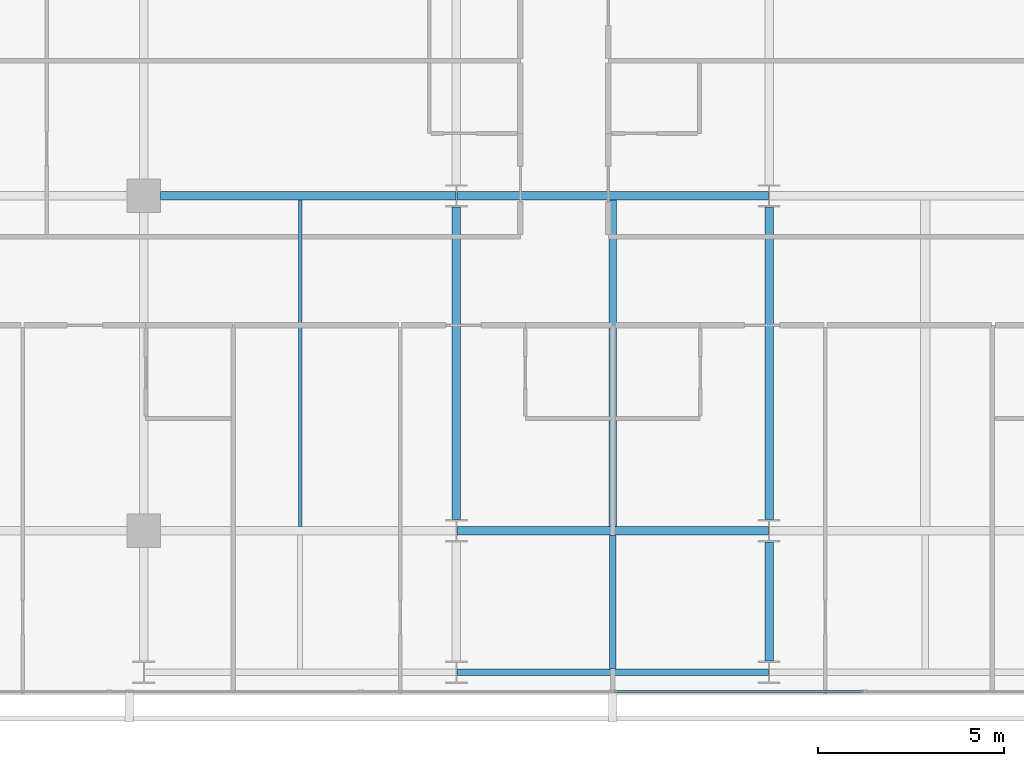
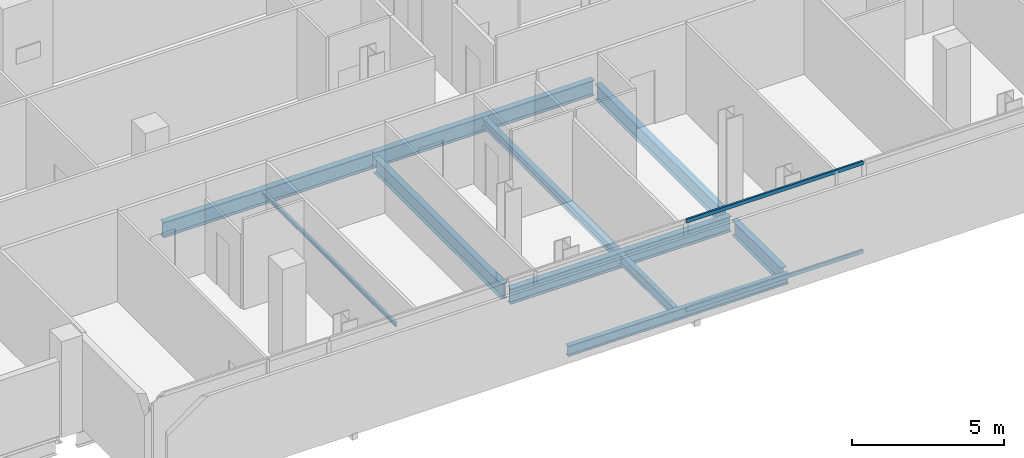
# One storey, part 7 of 33: 10 beams, 2 members, 1 element without a shape of its own.
"""IFC4 building model written with IfcOpenShell, lengths in metres."""

import ifcopenshell
import ifcopenshell.guid

model = None  # the IFC model being written
_history = None  # IfcOwnerHistory: only IFC2X3 demands one
_inside = {}  # id of a spatial element -> (the spatial element, [elements in it])
_under = {}  # id of a project, library or spatial element -> (it, [spatial elements below it])
_declared = {}  # id of a project -> (the project, [libraries it declares])
_typed = {}  # id of a type object -> (the type object, [elements of that type])
_made_of = {}  # id of a material, layer set ... -> (it, [elements and type objects made of it])


def new_model(schema):
    """Start an empty IFC model of exactly this schema.

    Asked for "IFC4X3", IfcOpenShell would pick the latest addendum, in which some entities
    have other attributes; the version numbers below select the first issue.
    IFC2X3 requires an IfcOwnerHistory on every rooted entity: one is made here for all.
    """
    global model, _history
    if schema == "IFC4X3":
        model = ifcopenshell.file(schema_version=(4, 3, 0, 0))
    else:
        model = ifcopenshell.file(schema=schema)
    _inside.clear()
    _under.clear()
    _declared.clear()
    _typed.clear()
    _made_of.clear()
    _history = None
    if model.schema == "IFC2X3":
        org = make("IfcOrganization", Name="unknown")
        user = make(
            "IfcPersonAndOrganization",
            ThePerson=make("IfcPerson", FamilyName="unknown"),
            TheOrganization=org,
        )
        app = make(
            "IfcApplication",
            ApplicationDeveloper=org,
            Version="unknown",
            ApplicationFullName="unknown",
            ApplicationIdentifier="unknown",
        )
        _history = make(
            "IfcOwnerHistory",
            OwningUser=user,
            OwningApplication=app,
            ChangeAction="ADDED",
            CreationDate=0,
        )
    return model


def make(cls, **values):
    """One entity of the class cls with the attributes given. An attribute that is None is left unset."""
    return model.create_entity(
        cls, **{name: value for name, value in values.items() if value is not None}
    )


def rooted(cls, **values):
    """An entity with a GlobalId (a new one), such as an element, a storey or a relation."""
    return make(cls, GlobalId=ifcopenshell.guid.new(), OwnerHistory=_history, **values)


def si_unit(unit_type, name, prefix=None):
    """IfcSIUnit, for example si_unit("LENGTHUNIT", "METRE", prefix="MILLI")."""
    return make("IfcSIUnit", UnitType=unit_type, Prefix=prefix, Name=name)


def assignment(units):
    """IfcUnitAssignment: the units of a project."""
    return None if units is None else make("IfcUnitAssignment", Units=units)


def point(xyz):
    """IfcCartesianPoint."""
    return None if xyz is None else make("IfcCartesianPoint", Coordinates=xyz)


def direction(xyz):
    """IfcDirection."""
    return None if xyz is None else make("IfcDirection", DirectionRatios=xyz)


def frame(location, z_axis=None, x_axis=None):
    """IfcAxis2Placement3D, a coordinate frame: its origin and axes. An axis left out is left unset."""
    return make(
        "IfcAxis2Placement3D",
        Location=point(location),
        Axis=direction(z_axis),
        RefDirection=direction(x_axis),
    )


def frame_2d(location, x_axis=None):
    """IfcAxis2Placement2D, a coordinate frame in the plane: its origin and x axis."""
    return make(
        "IfcAxis2Placement2D", Location=point(location), RefDirection=direction(x_axis)
    )


def origin():
    """The frame at (0, 0, 0) with its axes left unset."""
    return frame((0.0, 0.0, 0.0))


def origin_2d():
    """The frame at (0, 0) in the plane with its x axis left unset."""
    return frame_2d((0.0, 0.0))


def place(relative_to, where):
    """IfcLocalPlacement: puts the frame where relative to a parent placement (None: the world)."""
    return make(
        "IfcLocalPlacement", PlacementRelTo=relative_to, RelativePlacement=where
    )


def context(
    kind, dimensions, precision=None, world=None, true_north=None, identifier=None
):
    """IfcGeometricRepresentationContext, for example the 3D "Model" context."""
    return make(
        "IfcGeometricRepresentationContext",
        ContextIdentifier=identifier,
        ContextType=kind,
        CoordinateSpaceDimension=dimensions,
        Precision=precision,
        WorldCoordinateSystem=world,
        TrueNorth=true_north,
    )


def subcontext(parent, identifier, kind, view, scale=None):
    """IfcGeometricRepresentationSubContext, for example "Body" below "Model"."""
    return make(
        "IfcGeometricRepresentationSubContext",
        ContextIdentifier=identifier,
        ContextType=kind,
        ParentContext=parent,
        TargetScale=scale,
        TargetView=view,
    )


def project(units=None, contexts=None):
    """IfcProject with its units and contexts."""
    return rooted(
        "IfcProject",
        Name="project",
        RepresentationContexts=contexts,
        UnitsInContext=assignment(units),
    )


def spatial(cls, under=None, at=None, **own):
    """A site, building, storey or space (cls), placed at a placement, below another one or the project."""
    s = rooted(cls, ObjectPlacement=at, **own)
    if under is not None:
        _under.setdefault(under.id(), (under, []))[1].append(s)
    return s


def profile(cls, at=None, kind="AREA", **sizes):
    """A parametric profile (cls). Its sizes go by their IFC names, for example OverallWidth=200.0."""
    return make(cls, ProfileType=kind, Position=at, **sizes)


def hollow_rectangle(**sizes):
    """IfcRectangleHollowProfileDef."""
    return profile("IfcRectangleHollowProfileDef", **sizes)


def i_section(**sizes):
    """IfcIShapeProfileDef."""
    return profile("IfcIShapeProfileDef", **sizes)


def extrude(swept, where, along, depth):
    """IfcExtrudedAreaSolid: the profile swept, set in the frame where, extruded along a direction by depth."""
    return make(
        "IfcExtrudedAreaSolid",
        SweptArea=swept,
        Position=where,
        ExtrudedDirection=direction(along),
        Depth=depth,
    )


def shape(context_of_items, identifier, shape_type, items):
    """IfcShapeRepresentation: the items that make up one representation, for example the "Body"."""
    return make(
        "IfcShapeRepresentation",
        ContextOfItems=context_of_items,
        RepresentationIdentifier=identifier,
        RepresentationType=shape_type,
        Items=items,
    )


def material(Name=None, Category=None):
    """IfcMaterial."""
    return make("IfcMaterial", Name=Name, Category=Category)


def layer(
    of_material, thickness, ventilated=None, Name=None, Category=None, Priority=None
):
    """IfcMaterialLayer: one layer of a wall or slab, of a material (None: an air gap)."""
    return make(
        "IfcMaterialLayer",
        Material=of_material,
        LayerThickness=thickness,
        IsVentilated=ventilated,
        Name=Name,
        Category=Category,
        Priority=Priority,
    )


def layer_set(layers, Name=None):
    """IfcMaterialLayerSet."""
    return make("IfcMaterialLayerSet", MaterialLayers=layers, LayerSetName=Name)


def material_profile(
    of_material, cross_section, Name=None, Category=None, Priority=None
):
    """IfcMaterialProfile: a cross section and its material."""
    return make(
        "IfcMaterialProfile",
        Name=Name,
        Material=of_material,
        Profile=cross_section,
        Priority=Priority,
        Category=Category,
    )


def profile_set(profiles, Name=None, composite=None):
    """IfcMaterialProfileSet."""
    return make(
        "IfcMaterialProfileSet",
        Name=Name,
        MaterialProfiles=profiles,
        CompositeProfile=composite,
    )


def made_of(thing, what):
    """Note that an element or type object is made of a material, layer set ...; save() writes the relation."""
    if what is not None:
        _made_of.setdefault(what.id(), (what, []))[1].append(thing)
    return thing


def type_object(cls, material=None, **own):
    """A type object (cls), such as IfcWallType, which elements share."""
    return made_of(rooted(cls, **own), material)


def element(
    cls,
    number,
    at=None,
    inside=None,
    cuts=None,
    type_object=None,
    material=None,
    context=None,
    identifier="Body",
    shape_type=None,
    held_by="IfcProductDefinitionShape",
    body=None,
    shapes=None,
    **own,
):
    """One element of the class cls, such as IfcWall. Its Tag is "e" and its number.

    at: its placement. inside: the storey or other place that contains it. cuts: it is an
    opening in that element (IfcRelVoidsElement). A single representation is given by context,
    identifier, shape_type and body (its items); several are given by shapes. held_by: the class
    of the entity that holds the representations. save() writes the other relations.
    """
    e = rooted(cls, Tag="e%d" % number, ObjectPlacement=at, **own)
    if body is not None:
        shapes = [shape(context, identifier, shape_type, body)]
    if shapes is not None:
        e.Representation = make(held_by, Representations=shapes)
    if inside is not None:
        _inside.setdefault(inside.id(), (inside, []))[1].append(e)
    if cuts is not None:
        rooted(
            "IfcRelVoidsElement", RelatingBuildingElement=cuts, RelatedOpeningElement=e
        )
    if type_object is not None:
        _typed.setdefault(type_object.id(), (type_object, []))[1].append(e)
    return made_of(e, material)


def aggregate(whole, parts):
    """IfcRelAggregates: a whole, such as a stair, and the parts it consists of."""
    return rooted("IfcRelAggregates", RelatingObject=whole, RelatedObjects=parts)


def save(model, path):
    """Write the relations noted so far, then the file.

    IfcRelAggregates (storeys below a building ...), IfcRelContainedInSpatialStructure (elements
    in a storey), IfcRelDefinesByType, IfcRelAssociatesMaterial and IfcRelDeclares: one each for
    every whole, place, type object, material and project.
    """
    for whole, parts in _under.values():
        aggregate(whole, parts)
    for where, things in _inside.values():
        rooted(
            "IfcRelContainedInSpatialStructure",
            RelatedElements=things,
            RelatingStructure=where,
        )
    for kind, things in _typed.values():
        rooted("IfcRelDefinesByType", RelatedObjects=things, RelatingType=kind)
    for what, things in _made_of.values():
        rooted("IfcRelAssociatesMaterial", RelatedObjects=things, RelatingMaterial=what)
    for by, libraries in _declared.values():
        rooted("IfcRelDeclares", RelatingContext=by, RelatedDefinitions=libraries)
    model.write(path)


model = new_model("IFC4")

# Units and contexts
model_context = context("Model", 3, precision=1e-05, world=origin(), true_north=direction((0.0, 1.0)))
body_context = subcontext(model_context, "Body", "Model", "MODEL_VIEW")
ifc_project = project(units=[si_unit("LENGTHUNIT", "METRE"), si_unit("AREAUNIT", "SQUARE_METRE"), si_unit("VOLUMEUNIT", "CUBIC_METRE"), si_unit("PLANEANGLEUNIT", "RADIAN"), si_unit("MASSUNIT", "GRAM", prefix="KILO")], contexts=[model_context])

# Site, building, storey
site_placement = place(None, origin())
site = spatial("IfcSite", under=ifc_project, at=site_placement, CompositionType="ELEMENT")
building_placement = place(site_placement, origin())
building = spatial("IfcBuilding", under=site, at=building_placement, Name="Maruvema Waterfront Hotel and Observation Tower", CompositionType="ELEMENT")
storey_placement = place(building_placement, frame((0.0, 0.0, 138.949951171875)))
storey = spatial("IfcBuildingStorey", under=building, at=storey_placement, Name="L33", CompositionType="ELEMENT", Elevation=138.949951171875)

# Curtain wall, members
ifc_material_1 = material(Name="Anodised bronze aluminium and solar-control low-E IGU", Category="aluminium")
ifc_layer = layer(ifc_material_1, 0.159912109375, Name="Zone 2 Amber Inner Thermal Curtain Wall System CW-03")
ifc_layer_set = layer_set([ifc_layer], Name="Anodised bronze aluminium and solar-control low-E IGU")
curtain_wall_type = type_object("IfcCurtainWallType", Name="Zone 2 Amber Inner Thermal Curtain Wall System CW-03", PredefinedType="USERDEFINED", material=ifc_layer_set)
curtain_wall_placement = place(storey_placement, origin())
curtain_wall = element("IfcCurtainWall", 1, at=curtain_wall_placement, inside=storey, type_object=curtain_wall_type, Name="L33 Curtain Wall CW-L33-S", ObjectType="UNITISED CURTAIN WALL", PredefinedType="USERDEFINED")
ifc_material_2 = material(Name="Anodised architectural bronze aluminium", Category="aluminium")
ifc_material_profile_1 = material_profile(ifc_material_2, hollow_rectangle(XDim=0.070068359375, YDim=0.14990234375, WallThickness=0.00390625, at=origin_2d()), Name="ALU-T70x150")
ifc_profile_set_1 = profile_set([ifc_material_profile_1], Name="Anodised architectural bronze aluminium")
member_type = type_object("IfcMemberType", Name="Curtain Wall Horizontal Transom ALU-T70x150", PredefinedType="USERDEFINED", material=ifc_profile_set_1)
member_1_placement = place(storey_placement, frame((37.830078125, 4.679931640625, 0.030029296875), z_axis=(1.0, 0.0, 0.0), x_axis=(0.0, 1.0, 0.0)))
member_1 = element("IfcMember", 2, at=member_1_placement, type_object=member_type, Name="CW-03 transom 4.1", ObjectType="TRANSOM", PredefinedType="USERDEFINED", context=body_context, shape_type="SweptSolid", body=[
    extrude(hollow_rectangle(XDim=0.070068359375, YDim=0.14990234375, WallThickness=0.00390625, at=origin_2d()), origin(), (0.0, 0.0, 1.0), 6.70654296875),
])
member_2_placement = place(storey_placement, frame((37.830078125, 4.679931640625, 3.580078125), z_axis=(1.0, 0.0, 0.0), x_axis=(0.0, 1.0, 0.0)))
member_2 = element("IfcMember", 3, at=member_2_placement, type_object=member_type, Name="CW-03 transom 4.2", ObjectType="TRANSOM", PredefinedType="USERDEFINED", context=body_context, shape_type="SweptSolid", body=[
    extrude(hollow_rectangle(XDim=0.070068359375, YDim=0.14990234375, WallThickness=0.00390625, at=origin_2d()), origin(), (0.0, 0.0, 1.0), 6.70654296875),
])
aggregate(curtain_wall, [member_1, member_2])

# Beams
ifc_material_3 = material(Name="Steel ASTM A572 Grade 50", Category="steel")
ifc_material_profile_2 = material_profile(ifc_material_3, i_section(OverallWidth=0.180908203125, OverallDepth=0.4169921875, WebThickness=0.010986328125, FlangeThickness=0.018310546875, FilletRadius=0.014892578125, at=origin_2d()), Name="W410x85.0")
ifc_profile_set_2 = profile_set([ifc_material_profile_2], Name="Steel ASTM A572 Grade 50")
beam_type_1 = type_object("IfcBeamType", Name="Perimeter Spandrel Beam W410x85.0", PredefinedType="SPANDREL", material=ifc_profile_set_2)
beam_1_placement = place(storey_placement, frame((33.612548828125, 5.199951171875, -0.448486328125), z_axis=(1.0, 0.0, 0.0), x_axis=(0.0, 1.0, 0.0)))
element("IfcBeam", 4, at=beam_1_placement, inside=storey, type_object=beam_type_1, Name="L33 Floor Girder EW-02", PredefinedType="SPANDREL", context=body_context, shape_type="SweptSolid", body=[
    extrude(i_section(OverallWidth=0.180908203125, OverallDepth=0.4169921875, WebThickness=0.010986328125, FlangeThickness=0.018310546875, FilletRadius=0.014892578125, at=origin_2d()), origin(), (0.0, 0.0, 1.0), 8.375),
])
ifc_material_4 = material(Name="Steel ASTM A572 Grade 50", Category="steel")
ifc_material_profile_3 = material_profile(ifc_material_4, i_section(OverallWidth=0.22900390625, OverallDepth=0.612060546875, WebThickness=0.011962890625, FlangeThickness=0.01953125, FilletRadius=0.01806640625, at=origin_2d()), Name="W610x125.0")
ifc_profile_set_3 = profile_set([ifc_material_profile_3], Name="Steel ASTM A572 Grade 50")
beam_type_2 = type_object("IfcBeamType", Name="Primary Floor Girder W610x125.0", PredefinedType="BEAM", material=ifc_profile_set_3)
beam_2_placement = place(storey_placement, frame((33.612548828125, 9.0, -0.5458984375), z_axis=(1.0, 0.0, 0.0), x_axis=(0.0, 1.0, 0.0)))
element("IfcBeam", 5, at=beam_2_placement, inside=storey, type_object=beam_type_2, Name="L33 Floor Girder EW-07", PredefinedType="BEAM", context=body_context, shape_type="SweptSolid", body=[
    extrude(i_section(OverallWidth=0.22900390625, OverallDepth=0.612060546875, WebThickness=0.011962890625, FlangeThickness=0.01953125, FilletRadius=0.01806640625, at=origin_2d()), origin(), (0.0, 0.0, 1.0), 8.375),
])
beam_3_placement = place(storey_placement, frame((25.64990234375, 18.0, -0.5458984375), z_axis=(1.0, 0.0, 0.0), x_axis=(0.0, 1.0, 0.0)))
element("IfcBeam", 6, at=beam_3_placement, inside=storey, type_object=beam_type_2, Name="L33 Floor Girder EW-13", PredefinedType="BEAM", context=body_context, shape_type="SweptSolid", body=[
    extrude(i_section(OverallWidth=0.22900390625, OverallDepth=0.612060546875, WebThickness=0.011962890625, FlangeThickness=0.01953125, FilletRadius=0.01806640625, at=origin_2d()), origin(), (0.0, 0.0, 1.0), 7.9375),
])
beam_4_placement = place(storey_placement, frame((33.612548828125, 18.0, -0.5458984375), z_axis=(1.0, 0.0, 0.0), x_axis=(0.0, 1.0, 0.0)))
element("IfcBeam", 7, at=beam_4_placement, inside=storey, type_object=beam_type_2, Name="L33 Floor Girder EW-14", PredefinedType="BEAM", context=body_context, shape_type="SweptSolid", body=[
    extrude(i_section(OverallWidth=0.22900390625, OverallDepth=0.612060546875, WebThickness=0.011962890625, FlangeThickness=0.01953125, FilletRadius=0.01806640625, at=origin_2d()), origin(), (0.0, 0.0, 1.0), 8.375),
])
beam_5_placement = place(storey_placement, frame((33.60009765625, 9.300048828125, -0.5458984375), z_axis=(0.0, 1.0, 0.0), x_axis=(-1.0, 0.0, 0.0)))
element("IfcBeam", 8, at=beam_5_placement, inside=storey, type_object=beam_type_2, Name="L33 Floor Girder NS-15", PredefinedType="BEAM", context=body_context, shape_type="SweptSolid", body=[
    extrude(i_section(OverallWidth=0.22900390625, OverallDepth=0.612060546875, WebThickness=0.011962890625, FlangeThickness=0.01953125, FilletRadius=0.01806640625, at=origin_2d()), origin(), (0.0, 0.0, 1.0), 8.39990234375),
])
beam_6_placement = place(storey_placement, frame((42.0, 5.5, -0.5458984375), z_axis=(0.0, 1.0, 0.0), x_axis=(-1.0, 0.0, 0.0)))
element("IfcBeam", 9, at=beam_6_placement, inside=storey, type_object=beam_type_2, Name="L33 Floor Girder NS-17", PredefinedType="BEAM", context=body_context, shape_type="SweptSolid", body=[
    extrude(i_section(OverallWidth=0.22900390625, OverallDepth=0.612060546875, WebThickness=0.011962890625, FlangeThickness=0.01953125, FilletRadius=0.01806640625, at=origin_2d()), origin(), (0.0, 0.0, 1.0), 3.199951171875),
])
beam_7_placement = place(storey_placement, frame((42.0, 9.300048828125, -0.5458984375), z_axis=(0.0, 1.0, 0.0), x_axis=(-1.0, 0.0, 0.0)))
element("IfcBeam", 10, at=beam_7_placement, inside=storey, type_object=beam_type_2, Name="L33 Floor Girder NS-18", PredefinedType="BEAM", context=body_context, shape_type="SweptSolid", body=[
    extrude(i_section(OverallWidth=0.22900390625, OverallDepth=0.612060546875, WebThickness=0.011962890625, FlangeThickness=0.01953125, FilletRadius=0.01806640625, at=origin_2d()), origin(), (0.0, 0.0, 1.0), 8.39990234375),
])
ifc_material_5 = material(Name="Steel ASTM A572 Grade 50", Category="steel")
ifc_material_profile_4 = material_profile(ifc_material_5, i_section(OverallWidth=0.10009765625, OverallDepth=0.153076171875, WebThickness=0.005859375, FlangeThickness=0.007080078125, FilletRadius=0.008056640625, at=origin_2d()), Name="W150x18.0")
ifc_profile_set_4 = profile_set([ifc_material_profile_4], Name="Steel ASTM A572 Grade 50")
beam_type_3 = type_object("IfcBeamType", Name="Secondary Floor Joist W150x18.0", PredefinedType="JOIST", material=ifc_profile_set_4)
beam_8_placement = place(storey_placement, frame((29.39990234375, 9.114501953125, -0.31640625), z_axis=(0.0, 1.0, 0.0), x_axis=(-1.0, 0.0, 0.0)))
element("IfcBeam", 11, at=beam_8_placement, inside=storey, type_object=beam_type_3, Name="L33 Secondary Floor Joist JS-06", PredefinedType="JOIST", context=body_context, shape_type="SweptSolid", body=[
    extrude(i_section(OverallWidth=0.10009765625, OverallDepth=0.153076171875, WebThickness=0.005859375, FlangeThickness=0.007080078125, FilletRadius=0.008056640625, at=origin_2d()), origin(), (0.0, 0.0, 1.0), 8.77099609375),
])
ifc_material_6 = material(Name="Steel ASTM A572 Grade 50", Category="steel")
ifc_material_profile_5 = material_profile(ifc_material_6, i_section(OverallWidth=0.202880859375, OverallDepth=0.346923828125, WebThickness=0.0078125, FlangeThickness=0.013427734375, FilletRadius=0.014892578125, at=origin_2d()), Name="W360x64.0")
ifc_profile_set_5 = profile_set([ifc_material_profile_5], Name="Steel ASTM A572 Grade 50")
beam_type_4 = type_object("IfcBeamType", Name="Secondary Floor Joist W360x64.0", PredefinedType="JOIST", material=ifc_profile_set_5)
beam_9_placement = place(storey_placement, frame((37.800048828125, 9.114501953125, -0.413330078125), z_axis=(0.0, 1.0, 0.0), x_axis=(-1.0, 0.0, 0.0)))
element("IfcBeam", 12, at=beam_9_placement, inside=storey, type_object=beam_type_4, Name="L33 Secondary Floor Joist JS-08", PredefinedType="JOIST", context=body_context, shape_type="SweptSolid", body=[
    extrude(i_section(OverallWidth=0.202880859375, OverallDepth=0.346923828125, WebThickness=0.0078125, FlangeThickness=0.013427734375, FilletRadius=0.014892578125, at=origin_2d()), origin(), (0.0, 0.0, 1.0), 8.77099609375),
])
ifc_material_7 = material(Name="Steel ASTM A572 Grade 50", Category="steel")
ifc_material_profile_6 = material_profile(ifc_material_7, i_section(OverallWidth=0.177001953125, OverallDepth=0.403076171875, WebThickness=0.007568359375, FlangeThickness=0.010986328125, FilletRadius=0.014892578125, at=origin_2d()), Name="W410x53.0")
ifc_profile_set_6 = profile_set([ifc_material_profile_6], Name="Steel ASTM A572 Grade 50")
beam_type_5 = type_object("IfcBeamType", Name="Secondary Floor Joist W410x53.0", PredefinedType="JOIST", material=ifc_profile_set_6)
beam_10_placement = place(storey_placement, frame((37.800048828125, 5.29052734375, -0.44140625), z_axis=(0.0, 1.0, 0.0), x_axis=(-1.0, 0.0, 0.0)))
element("IfcBeam", 13, at=beam_10_placement, inside=storey, type_object=beam_type_5, Name="L33 Secondary Floor Joist JS-07", PredefinedType="JOIST", context=body_context, shape_type="SweptSolid", body=[
    extrude(i_section(OverallWidth=0.177001953125, OverallDepth=0.403076171875, WebThickness=0.007568359375, FlangeThickness=0.010986328125, FilletRadius=0.014892578125, at=origin_2d()), origin(), (0.0, 0.0, 1.0), 3.594970703125),
])

save(model, "model.ifc")
